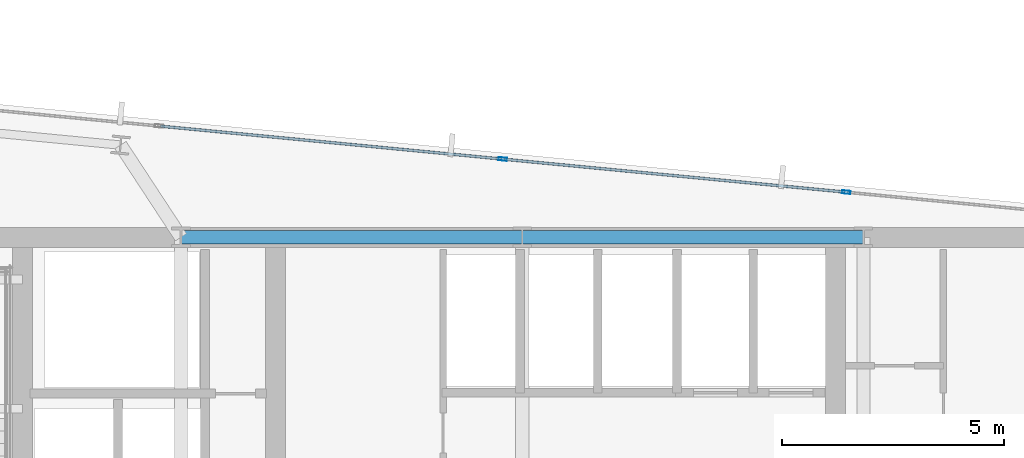
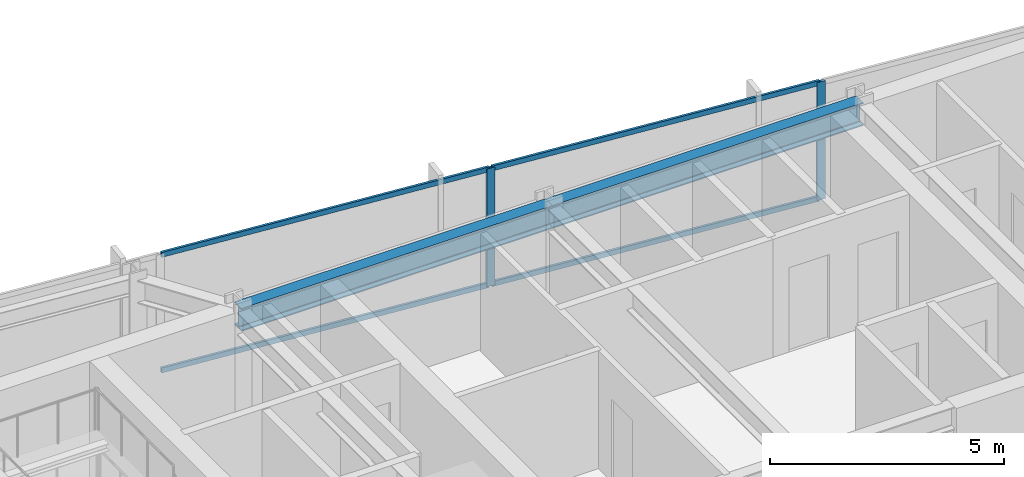
# One storey, part 26 of 37: 6 members, 2 beams, 1 element without a shape of its own.
"""IFC4 building model written with IfcOpenShell, lengths in metres."""

import ifcopenshell
import ifcopenshell.guid

model = None  # the IFC model being written
_history = None  # IfcOwnerHistory: only IFC2X3 demands one
_inside = {}  # id of a spatial element -> (the spatial element, [elements in it])
_under = {}  # id of a project, library or spatial element -> (it, [spatial elements below it])
_declared = {}  # id of a project -> (the project, [libraries it declares])
_typed = {}  # id of a type object -> (the type object, [elements of that type])
_made_of = {}  # id of a material, layer set ... -> (it, [elements and type objects made of it])


def new_model(schema):
    """Start an empty IFC model of exactly this schema.

    Asked for "IFC4X3", IfcOpenShell would pick the latest addendum, in which some entities
    have other attributes; the version numbers below select the first issue.
    IFC2X3 requires an IfcOwnerHistory on every rooted entity: one is made here for all.
    """
    global model, _history
    if schema == "IFC4X3":
        model = ifcopenshell.file(schema_version=(4, 3, 0, 0))
    else:
        model = ifcopenshell.file(schema=schema)
    _inside.clear()
    _under.clear()
    _declared.clear()
    _typed.clear()
    _made_of.clear()
    _history = None
    if model.schema == "IFC2X3":
        org = make("IfcOrganization", Name="unknown")
        user = make(
            "IfcPersonAndOrganization",
            ThePerson=make("IfcPerson", FamilyName="unknown"),
            TheOrganization=org,
        )
        app = make(
            "IfcApplication",
            ApplicationDeveloper=org,
            Version="unknown",
            ApplicationFullName="unknown",
            ApplicationIdentifier="unknown",
        )
        _history = make(
            "IfcOwnerHistory",
            OwningUser=user,
            OwningApplication=app,
            ChangeAction="ADDED",
            CreationDate=0,
        )
    return model


def make(cls, **values):
    """One entity of the class cls with the attributes given. An attribute that is None is left unset."""
    return model.create_entity(
        cls, **{name: value for name, value in values.items() if value is not None}
    )


def rooted(cls, **values):
    """An entity with a GlobalId (a new one), such as an element, a storey or a relation."""
    return make(cls, GlobalId=ifcopenshell.guid.new(), OwnerHistory=_history, **values)


def si_unit(unit_type, name, prefix=None):
    """IfcSIUnit, for example si_unit("LENGTHUNIT", "METRE", prefix="MILLI")."""
    return make("IfcSIUnit", UnitType=unit_type, Prefix=prefix, Name=name)


def assignment(units):
    """IfcUnitAssignment: the units of a project."""
    return None if units is None else make("IfcUnitAssignment", Units=units)


def point(xyz):
    """IfcCartesianPoint."""
    return None if xyz is None else make("IfcCartesianPoint", Coordinates=xyz)


def direction(xyz):
    """IfcDirection."""
    return None if xyz is None else make("IfcDirection", DirectionRatios=xyz)


def frame(location, z_axis=None, x_axis=None):
    """IfcAxis2Placement3D, a coordinate frame: its origin and axes. An axis left out is left unset."""
    return make(
        "IfcAxis2Placement3D",
        Location=point(location),
        Axis=direction(z_axis),
        RefDirection=direction(x_axis),
    )


def frame_2d(location, x_axis=None):
    """IfcAxis2Placement2D, a coordinate frame in the plane: its origin and x axis."""
    return make(
        "IfcAxis2Placement2D", Location=point(location), RefDirection=direction(x_axis)
    )


def origin():
    """The frame at (0, 0, 0) with its axes left unset."""
    return frame((0.0, 0.0, 0.0))


def origin_2d():
    """The frame at (0, 0) in the plane with its x axis left unset."""
    return frame_2d((0.0, 0.0))


def place(relative_to, where):
    """IfcLocalPlacement: puts the frame where relative to a parent placement (None: the world)."""
    return make(
        "IfcLocalPlacement", PlacementRelTo=relative_to, RelativePlacement=where
    )


def context(
    kind, dimensions, precision=None, world=None, true_north=None, identifier=None
):
    """IfcGeometricRepresentationContext, for example the 3D "Model" context."""
    return make(
        "IfcGeometricRepresentationContext",
        ContextIdentifier=identifier,
        ContextType=kind,
        CoordinateSpaceDimension=dimensions,
        Precision=precision,
        WorldCoordinateSystem=world,
        TrueNorth=true_north,
    )


def subcontext(parent, identifier, kind, view, scale=None):
    """IfcGeometricRepresentationSubContext, for example "Body" below "Model"."""
    return make(
        "IfcGeometricRepresentationSubContext",
        ContextIdentifier=identifier,
        ContextType=kind,
        ParentContext=parent,
        TargetScale=scale,
        TargetView=view,
    )


def project(units=None, contexts=None):
    """IfcProject with its units and contexts."""
    return rooted(
        "IfcProject",
        Name="project",
        RepresentationContexts=contexts,
        UnitsInContext=assignment(units),
    )


def spatial(cls, under=None, at=None, **own):
    """A site, building, storey or space (cls), placed at a placement, below another one or the project."""
    s = rooted(cls, ObjectPlacement=at, **own)
    if under is not None:
        _under.setdefault(under.id(), (under, []))[1].append(s)
    return s


def profile(cls, at=None, kind="AREA", **sizes):
    """A parametric profile (cls). Its sizes go by their IFC names, for example OverallWidth=200.0."""
    return make(cls, ProfileType=kind, Position=at, **sizes)


def hollow_rectangle(**sizes):
    """IfcRectangleHollowProfileDef."""
    return profile("IfcRectangleHollowProfileDef", **sizes)


def i_section(**sizes):
    """IfcIShapeProfileDef."""
    return profile("IfcIShapeProfileDef", **sizes)


def extrude(swept, where, along, depth):
    """IfcExtrudedAreaSolid: the profile swept, set in the frame where, extruded along a direction by depth."""
    return make(
        "IfcExtrudedAreaSolid",
        SweptArea=swept,
        Position=where,
        ExtrudedDirection=direction(along),
        Depth=depth,
    )


def shape(context_of_items, identifier, shape_type, items):
    """IfcShapeRepresentation: the items that make up one representation, for example the "Body"."""
    return make(
        "IfcShapeRepresentation",
        ContextOfItems=context_of_items,
        RepresentationIdentifier=identifier,
        RepresentationType=shape_type,
        Items=items,
    )


def material(Name=None, Category=None):
    """IfcMaterial."""
    return make("IfcMaterial", Name=Name, Category=Category)


def material_profile(
    of_material, cross_section, Name=None, Category=None, Priority=None
):
    """IfcMaterialProfile: a cross section and its material."""
    return make(
        "IfcMaterialProfile",
        Name=Name,
        Material=of_material,
        Profile=cross_section,
        Priority=Priority,
        Category=Category,
    )


def profile_set(profiles, Name=None, composite=None):
    """IfcMaterialProfileSet."""
    return make(
        "IfcMaterialProfileSet",
        Name=Name,
        MaterialProfiles=profiles,
        CompositeProfile=composite,
    )


def made_of(thing, what):
    """Note that an element or type object is made of a material, layer set ...; save() writes the relation."""
    if what is not None:
        _made_of.setdefault(what.id(), (what, []))[1].append(thing)
    return thing


def type_object(cls, material=None, **own):
    """A type object (cls), such as IfcWallType, which elements share."""
    return made_of(rooted(cls, **own), material)


def element(
    cls,
    number,
    at=None,
    inside=None,
    cuts=None,
    type_object=None,
    material=None,
    context=None,
    identifier="Body",
    shape_type=None,
    held_by="IfcProductDefinitionShape",
    body=None,
    shapes=None,
    **own,
):
    """One element of the class cls, such as IfcWall. Its Tag is "e" and its number.

    at: its placement. inside: the storey or other place that contains it. cuts: it is an
    opening in that element (IfcRelVoidsElement). A single representation is given by context,
    identifier, shape_type and body (its items); several are given by shapes. held_by: the class
    of the entity that holds the representations. save() writes the other relations.
    """
    e = rooted(cls, Tag="e%d" % number, ObjectPlacement=at, **own)
    if body is not None:
        shapes = [shape(context, identifier, shape_type, body)]
    if shapes is not None:
        e.Representation = make(held_by, Representations=shapes)
    if inside is not None:
        _inside.setdefault(inside.id(), (inside, []))[1].append(e)
    if cuts is not None:
        rooted(
            "IfcRelVoidsElement", RelatingBuildingElement=cuts, RelatedOpeningElement=e
        )
    if type_object is not None:
        _typed.setdefault(type_object.id(), (type_object, []))[1].append(e)
    return made_of(e, material)


def aggregate(whole, parts):
    """IfcRelAggregates: a whole, such as a stair, and the parts it consists of."""
    return rooted("IfcRelAggregates", RelatingObject=whole, RelatedObjects=parts)


def save(model, path):
    """Write the relations noted so far, then the file.

    IfcRelAggregates (storeys below a building ...), IfcRelContainedInSpatialStructure (elements
    in a storey), IfcRelDefinesByType, IfcRelAssociatesMaterial and IfcRelDeclares: one each for
    every whole, place, type object, material and project.
    """
    for whole, parts in _under.values():
        aggregate(whole, parts)
    for where, things in _inside.values():
        rooted(
            "IfcRelContainedInSpatialStructure",
            RelatedElements=things,
            RelatingStructure=where,
        )
    for kind, things in _typed.values():
        rooted("IfcRelDefinesByType", RelatedObjects=things, RelatingType=kind)
    for what, things in _made_of.values():
        rooted("IfcRelAssociatesMaterial", RelatedObjects=things, RelatingMaterial=what)
    for by, libraries in _declared.values():
        rooted("IfcRelDeclares", RelatingContext=by, RelatedDefinitions=libraries)
    model.write(path)


model = new_model("IFC4")

# Units and contexts
model_context = context("Model", 3, precision=1e-05, world=origin(), true_north=direction((0.0, 1.0)))
body_context = subcontext(model_context, "Body", "Model", "MODEL_VIEW")
ifc_project = project(units=[si_unit("LENGTHUNIT", "METRE"), si_unit("AREAUNIT", "SQUARE_METRE"), si_unit("VOLUMEUNIT", "CUBIC_METRE"), si_unit("PLANEANGLEUNIT", "RADIAN"), si_unit("MASSUNIT", "GRAM", prefix="KILO")], contexts=[model_context])

# Site, building, storey
site_placement = place(None, origin())
site = spatial("IfcSite", under=ifc_project, at=site_placement, CompositionType="ELEMENT")
building_placement = place(site_placement, origin())
building = spatial("IfcBuilding", under=site, at=building_placement, Name="Yelkora Congress Tower", CompositionType="ELEMENT")
storey_placement = place(building_placement, frame((0.0, 0.0, 149.0)))
storey = spatial("IfcBuildingStorey", under=building, at=storey_placement, Name="L40", CompositionType="ELEMENT", Elevation=149.0)

# Beams
ifc_material_1 = material(Name="Steel S355J2", Category="steel")
ifc_material_profile_1 = material_profile(ifc_material_1, i_section(OverallWidth=0.300048828125, OverallDepth=0.60009765625, WebThickness=0.015380859375, FlangeThickness=0.030029296875, FilletRadius=0.027099609375, at=origin_2d()), Name="HEB 600")
ifc_profile_set_1 = profile_set([ifc_material_profile_1], Name="Steel S355J2")
beam_type = type_object("IfcBeamType", Name="BM-GIRD-HEB600", PredefinedType="BEAM", material=ifc_profile_set_1)
beam_1_placement = place(storey_placement, frame((30.719970703125, 46.199951171875, 2.780029296875), z_axis=(1.0, 0.0, 0.0), x_axis=(0.0, 1.0, 0.0)))
element("IfcBeam", 1, at=beam_1_placement, inside=storey, type_object=beam_type, Name="L40 Core North Girder 3", PredefinedType="BEAM", context=body_context, shape_type="SweptSolid", body=[
    extrude(i_section(OverallWidth=0.300048828125, OverallDepth=0.60009765625, WebThickness=0.015380859375, FlangeThickness=0.030029296875, FilletRadius=0.027099609375, at=origin_2d()), origin(), (0.0, 0.0, 1.0), 7.679931640625),
])
beam_2_placement = place(storey_placement, frame((38.39990234375, 46.199951171875, 2.780029296875), z_axis=(1.0, 0.0, 0.0), x_axis=(0.0, 1.0, 0.0)))
element("IfcBeam", 2, at=beam_2_placement, inside=storey, type_object=beam_type, Name="L40 Core North Girder 4", PredefinedType="BEAM", context=body_context, shape_type="SweptSolid", body=[
    extrude(i_section(OverallWidth=0.300048828125, OverallDepth=0.60009765625, WebThickness=0.015380859375, FlangeThickness=0.030029296875, FilletRadius=0.027099609375, at=origin_2d()), origin(), (0.0, 0.0, 1.0), 7.68017578125),
])

# Curtain wall, members
ifc_material_2 = material(Name="Anodised aluminium and insulated glass", Category="aluminium")
curtain_wall_type = type_object("IfcCurtainWallType", Name="CW-SYS-B3", PredefinedType="NOTDEFINED", material=ifc_material_2)
curtain_wall_placement = place(storey_placement, origin())
curtain_wall = element("IfcCurtainWall", 3, at=curtain_wall_placement, inside=storey, type_object=curtain_wall_type, Name="L40 Unitised Curtain Wall 10 (1)", PredefinedType="NOTDEFINED")
ifc_material_3 = material(Name="Anodised aluminium 6063-T6", Category="aluminium")
ifc_material_profile_2 = material_profile(ifc_material_3, hollow_rectangle(XDim=0.070068359375, YDim=0.18994140625, WallThickness=0.00390625, at=origin_2d()), Name="ALU 70x190x4")
ifc_profile_set_2 = profile_set([ifc_material_profile_2], Name="Anodised aluminium 6063-T6")
member_type_1 = type_object("IfcMemberType", Name="MEM-ML-B3", PredefinedType="MULLION", material=ifc_profile_set_2)
member_1_placement = place(storey_placement, frame((37.9619140625, 47.959228515625, 0.0), z_axis=(0.0, 0.0, 1.0), x_axis=(0.095844524462, 0.995396316615, 0.0)))
member_1 = element("IfcMember", 4, at=member_1_placement, type_object=member_type_1, Name="CW-B3 mullion 5", PredefinedType="MULLION", context=body_context, shape_type="SweptSolid", body=[
    extrude(hollow_rectangle(XDim=0.070068359375, YDim=0.18994140625, WallThickness=0.00390625, at=origin_2d()), origin(), (0.0, 0.0, 1.0), 3.080078125),
])
member_2_placement = place(storey_placement, frame((45.69482421875, 47.214599609375, 0.0), z_axis=(0.0, 0.0, 1.0), x_axis=(0.095844524462, 0.995396316615, 0.0)))
member_2 = element("IfcMember", 5, at=member_2_placement, type_object=member_type_1, Name="CW-B3 mullion 6", PredefinedType="MULLION", context=body_context, shape_type="SweptSolid", body=[
    extrude(hollow_rectangle(XDim=0.070068359375, YDim=0.18994140625, WallThickness=0.00390625, at=origin_2d()), origin(), (0.0, 0.0, 1.0), 3.080078125),
])
ifc_material_profile_3 = material_profile(ifc_material_3, hollow_rectangle(XDim=0.06005859375, YDim=0.1298828125, WallThickness=0.00390625, at=origin_2d()), Name="ALU 60x130x4")
ifc_profile_set_3 = profile_set([ifc_material_profile_3], Name="Anodised aluminium 6063-T6")
member_type_2 = type_object("IfcMemberType", Name="MEM-TR-B3", PredefinedType="USERDEFINED", material=ifc_profile_set_3)
member_3_placement = place(storey_placement, frame((30.263671875, 48.700439453125, 0.030029296875), z_axis=(0.995397459688, -0.095832652304, 0.0), x_axis=(0.095832652304, 0.995397459688, 0.0)))
member_3 = element("IfcMember", 6, at=member_3_placement, type_object=member_type_2, Name="CW-B3 transom 4.1", ObjectType="TRANSOM", PredefinedType="USERDEFINED", context=body_context, shape_type="SweptSolid", body=[
    extrude(hollow_rectangle(XDim=0.06005859375, YDim=0.1298828125, WallThickness=0.00390625, at=origin_2d()), origin(), (0.0, 0.0, 1.0), 7.69873046875),
])
member_4_placement = place(storey_placement, frame((30.263671875, 48.700439453125, 3.050048828125), z_axis=(0.995397459688, -0.095832652304, 0.0), x_axis=(0.095832652304, 0.995397459688, 0.0)))
member_4 = element("IfcMember", 7, at=member_4_placement, type_object=member_type_2, Name="CW-B3 transom 4.2", ObjectType="TRANSOM", PredefinedType="USERDEFINED", context=body_context, shape_type="SweptSolid", body=[
    extrude(hollow_rectangle(XDim=0.06005859375, YDim=0.1298828125, WallThickness=0.00390625, at=origin_2d()), origin(), (0.0, 0.0, 1.0), 7.69873046875),
])
member_5_placement = place(storey_placement, frame((37.996826171875, 47.955810546875, 0.030029296875), z_axis=(0.995397459688, -0.095832652304, 0.0), x_axis=(0.095832652304, 0.995397459688, 0.0)))
member_5 = element("IfcMember", 8, at=member_5_placement, type_object=member_type_2, Name="CW-B3 transom 5.1", ObjectType="TRANSOM", PredefinedType="USERDEFINED", context=body_context, shape_type="SweptSolid", body=[
    extrude(hollow_rectangle(XDim=0.06005859375, YDim=0.1298828125, WallThickness=0.00390625, at=origin_2d()), origin(), (0.0, 0.0, 1.0), 7.69873046875),
])
member_6_placement = place(storey_placement, frame((37.996826171875, 47.955810546875, 3.050048828125), z_axis=(0.995397459688, -0.095832652304, 0.0), x_axis=(0.095832652304, 0.995397459688, 0.0)))
member_6 = element("IfcMember", 9, at=member_6_placement, type_object=member_type_2, Name="CW-B3 transom 5.2", ObjectType="TRANSOM", PredefinedType="USERDEFINED", context=body_context, shape_type="SweptSolid", body=[
    extrude(hollow_rectangle(XDim=0.06005859375, YDim=0.1298828125, WallThickness=0.00390625, at=origin_2d()), origin(), (0.0, 0.0, 1.0), 7.69873046875),
])
aggregate(curtain_wall, [member_1, member_2, member_3, member_4, member_5, member_6])

save(model, "model.ifc")
